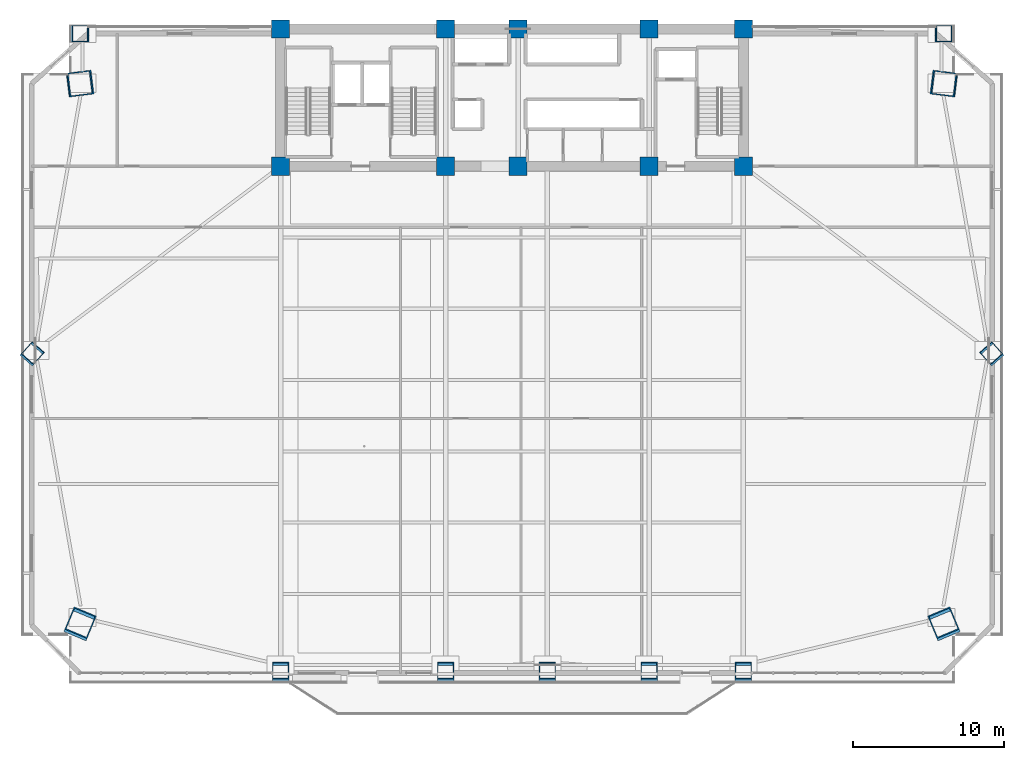
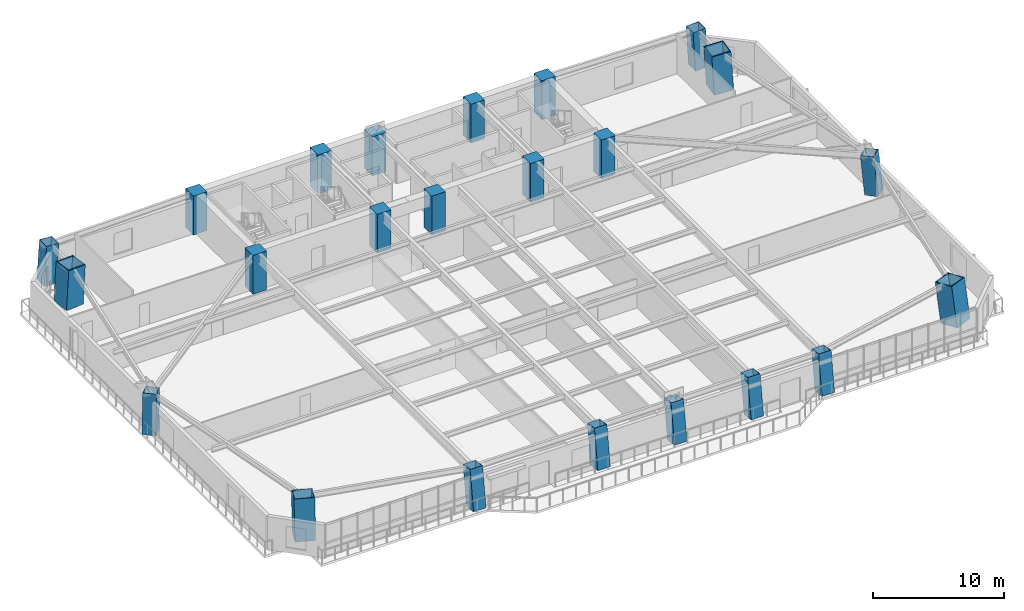
# One storey, part 1 of 17: 23 columns.
"""IFC4 building model written with IfcOpenShell, lengths in metres."""

from ifc_helpers import new_model, si_unit, direction, frame, origin, origin_2d, place, context, subcontext, project, spatial, rectangle, hollow_rectangle, extrude, source, transform, mapped, material, material_profile, profile_set, type_object, element, save


model = new_model("IFC4")

# Units and contexts
model_context = context("Model", 3, precision=1e-05, world=origin(), true_north=direction((0.0, 1.0)))
body_context = subcontext(model_context, "Body", "Model", "MODEL_VIEW")
ifc_project = project(units=[si_unit("LENGTHUNIT", "METRE"), si_unit("AREAUNIT", "SQUARE_METRE"), si_unit("VOLUMEUNIT", "CUBIC_METRE"), si_unit("PLANEANGLEUNIT", "RADIAN"), si_unit("MASSUNIT", "GRAM", prefix="KILO")], contexts=[model_context])

# Site, building, storey
site_placement = place(None, origin())
site = spatial("IfcSite", under=ifc_project, at=site_placement, CompositionType="ELEMENT")
building_placement = place(site_placement, origin())
building = spatial("IfcBuilding", under=site, at=building_placement, Name="Giltprow Tower", CompositionType="ELEMENT")
storey_placement = place(building_placement, frame((0.0, 0.0, 44.89990234375)))
storey = spatial("IfcBuildingStorey", under=building, at=storey_placement, Name="L11", CompositionType="ELEMENT", Elevation=44.89990234375)

# Columns
ifc_material_1 = material(Name="Concrete C60", Category="concrete")
ifc_material_profile_1 = material_profile(ifc_material_1, rectangle(XDim=1.199951171875, YDim=1.199951171875, at=origin_2d()), Name="RC 1200x1200")
ifc_profile_set_1 = profile_set([ifc_material_profile_1], Name="Concrete C60")
column_type_1 = type_object("IfcColumnType", Name="PIL-RC-1200-C60", PredefinedType="PILASTER", material=ifc_profile_set_1)
shared_shape_1 = source(origin(), body_context, "Body", "SweptSolid", [
    extrude(rectangle(XDim=1.199951171875, YDim=1.199951171875, at=origin_2d()), origin(), (0.0, 0.0, 1.0), 3.6201171875),
])
for number, where, z_axis, x_axis, name in (
    (1, (19.85009765625, 37.449951171875, 0.0), (0.0, 0.0, 1.0), (1.0, 0.0, 0.0), "L11 Core Boundary Pilaster 1-1"),
    (2, (19.85009765625, 46.550048828125, 0.0), (0.0, 0.0, 1.0), (1.0, 0.0, 0.0), "L11 Core Boundary Pilaster 1-2"),
    (3, (30.800048828125, 37.449951171875, 0.0), (0.0, 0.0, 1.0), (1.0, 0.0, 0.0), "L11 Core Boundary Pilaster 2-1"),
    (4, (30.800048828125, 46.550048828125, 0.0), (0.0, 0.0, 1.0), (1.0, 0.0, 0.0), "L11 Core Boundary Pilaster 2-2"),
    (5, (35.60009765625, 37.449951171875, 0.0), (0.0, 0.0, 1.0), (1.0, 0.0, 0.0), "L11 Core Boundary Pilaster 3-1"),
    (6, (35.60009765625, 46.550048828125, 0.0), (0.0, 0.0, 1.0), (1.0, 0.0, 0.0), "L11 Core Boundary Pilaster 3-2"),
    (7, (44.300048828125, 37.449951171875, 0.0), (0.0, 0.0, 1.0), (1.0, 0.0, 0.0), "L11 Core Boundary Pilaster 4-1"),
    (8, (44.300048828125, 46.550048828125, 0.0), (0.0, 0.0, 1.0), (1.0, 0.0, 0.0), "L11 Core Boundary Pilaster 4-2"),
    (9, (50.550048828125, 37.449951171875, 0.0), (0.0, 0.0, 1.0), (1.0, 0.0, 0.0), "L11 Core Boundary Pilaster 5-1"),
    (10, (50.550048828125, 46.550048828125, 0.0), (0.0, 0.0, 1.0), (1.0, 0.0, 0.0), "L11 Core Boundary Pilaster 5-2"),
):
    element("IfcColumn", number, at=place(storey_placement, frame(where, z_axis=z_axis, x_axis=x_axis)), inside=storey, type_object=column_type_1, Name=name, PredefinedType="PILASTER", context=body_context, shape_type="MappedRepresentation", body=[
        mapped(shared_shape_1, transform((0.0, 0.0, 0.0), x_axis=(1.0, 0.0, 0.0), y_axis=(0.0, 1.0, 0.0), z_axis=(0.0, 0.0, 1.0), scale=1.0)),
    ])
ifc_material_2 = material(Name="Structural steel Q420GJC", Category="steel")
ifc_material_profile_2 = material_profile(ifc_material_2, hollow_rectangle(XDim=1.60009765625, YDim=1.60009765625, WallThickness=0.074951171875, at=origin_2d()), Name="BOX 1600x1600x75")
ifc_profile_set_2 = profile_set([ifc_material_profile_2], Name="Structural steel Q420GJC")
column_type_2 = type_object("IfcColumnType", Name="COL-BOX-1600x1600x75", PredefinedType="COLUMN", material=ifc_profile_set_2)
shared_shape_2 = source(origin(), body_context, "Body", "SweptSolid", [
    extrude(hollow_rectangle(XDim=1.60009765625, YDim=1.60009765625, WallThickness=0.074951171875, at=origin_2d()), origin(), (0.0, 0.0, 1.0), 3.66064453125),
])
for number, where, z_axis, x_axis, name in (
    (11, (6.509033203125, 7.0009765625, 0.0), (0.057090392782, 0.136856876155, 0.988944327301), (-0.922917163749, 0.384998582929, 0.0), "L11 Mega-Column MC_SW"),
    (12, (63.89111328125, 7.0009765625, 0.0), (-0.057156869408, 0.136856354756, 0.98894055961), (-0.922757300744, -0.385381582231, 0.0), "L11 Mega-Column MC_SE"),
):
    element("IfcColumn", number, at=place(storey_placement, frame(where, z_axis=z_axis, x_axis=x_axis)), inside=storey, type_object=column_type_2, Name=name, PredefinedType="COLUMN", context=body_context, shape_type="MappedRepresentation", body=[
        mapped(shared_shape_2, transform((0.0, 0.0, 0.0), x_axis=(1.0, 0.0, 0.0), y_axis=(0.0, 1.0, 0.0), z_axis=(0.0, 0.0, 1.0), scale=1.0)),
    ])
shared_shape_3 = source(origin(), body_context, "Body", "SweptSolid", [
    extrude(hollow_rectangle(XDim=1.60009765625, YDim=1.60009765625, WallThickness=0.074951171875, at=origin_2d()), origin(), (0.0, 0.0, 1.0), 3.626220703125),
])
for number, where, z_axis, x_axis, name in (
    (13, (6.509033203125, 42.926025390625, 0.0), (0.057631200614, 0.007136573908, 0.998312433073), (-0.122893119903, 0.992419911671, 0.0), "L11 Mega-Column MC_NW"),
    (14, (63.89111328125, 42.926025390625, 0.0), (-0.057698302779, 0.007136546201, 0.998308557293), (-0.122751882683, -0.992437391122, 0.0), "L11 Mega-Column MC_NE"),
):
    element("IfcColumn", number, at=place(storey_placement, frame(where, z_axis=z_axis, x_axis=x_axis)), inside=storey, type_object=column_type_2, Name=name, PredefinedType="COLUMN", context=body_context, shape_type="MappedRepresentation", body=[
        mapped(shared_shape_3, transform((0.0, 0.0, 0.0), x_axis=(1.0, 0.0, 0.0), y_axis=(0.0, 1.0, 0.0), z_axis=(0.0, 0.0, 1.0), scale=1.0)),
    ])
ifc_material_profile_3 = material_profile(ifc_material_2, hollow_rectangle(XDim=1.10009765625, YDim=1.10009765625, WallThickness=0.050048828125, at=origin_2d()), Name="BOX 1100x1100x50")
ifc_profile_set_3 = profile_set([ifc_material_profile_3], Name="Structural steel Q420GJC")
column_type_3 = type_object("IfcColumnType", Name="COL-BOX-1100x1100x50", PredefinedType="COLUMN", material=ifc_profile_set_3)
shared_shape_4 = source(origin(), body_context, "Body", "SweptSolid", [
    extrude(hollow_rectangle(XDim=1.10009765625, YDim=1.10009765625, WallThickness=0.050048828125, at=origin_2d()), origin(), (0.0, 0.0, 1.0), 3.658203125),
])
for number, where, z_axis, x_axis, name in (
    (15, (19.85009765625, 3.826904296875, 0.0), (0.0, 0.144083622092, 0.989565515691), (-1.0, 0.0, 0.0), "L11 Perimeter Column S1"),
    (16, (30.800048828125, 3.826904296875, 0.0), (0.0, 0.144083622092, 0.989565515691), (-1.0, 0.0, 0.0), "L11 Perimeter Column S2"),
    (17, (37.550048828125, 3.826904296875, 0.0), (0.0, 0.144083622092, 0.989565515691), (-1.0, 0.0, 0.0), "L11 Perimeter Column S_MID"),
    (18, (44.300048828125, 3.826904296875, 0.0), (0.0, 0.144083622092, 0.989565515691), (-1.0, 0.0, 0.0), "L11 Perimeter Column S3"),
    (19, (50.550048828125, 3.826904296875, 0.0), (0.0, 0.144083622092, 0.989565515691), (-1.0, 0.0, 0.0), "L11 Perimeter Column S4"),
):
    element("IfcColumn", number, at=place(storey_placement, frame(where, z_axis=z_axis, x_axis=x_axis)), inside=storey, type_object=column_type_3, Name=name, PredefinedType="COLUMN", context=body_context, shape_type="MappedRepresentation", body=[
        mapped(shared_shape_4, transform((0.0, 0.0, 0.0), x_axis=(1.0, 0.0, 0.0), y_axis=(0.0, 1.0, 0.0), z_axis=(0.0, 0.0, 1.0), scale=1.0)),
    ])
shared_shape_5 = source(origin(), body_context, "Body", "SweptSolid", [
    extrude(hollow_rectangle(XDim=1.10009765625, YDim=1.10009765625, WallThickness=0.050048828125, at=origin_2d()), origin(), (0.0, 0.0, 1.0), 3.637451171875),
])
for number, where, z_axis, x_axis, name in (
    (20, (3.3349609375, 24.962890625, 0.0), (0.064637033835, 0.072624372388, 0.995262655982), (-0.746990181356, 0.664835068989, 0.0), "L11 Perimeter Column W_MID"),
    (21, (67.06494140625, 24.962890625, 0.0), (-0.064570193334, 0.072624687305, 0.995266971685), (-0.747333099032, -0.664449576034, 0.0), "L11 Perimeter Column E_MID"),
):
    element("IfcColumn", number, at=place(storey_placement, frame(where, z_axis=z_axis, x_axis=x_axis)), inside=storey, type_object=column_type_3, Name=name, PredefinedType="COLUMN", context=body_context, shape_type="MappedRepresentation", body=[
        mapped(shared_shape_5, transform((0.0, 0.0, 0.0), x_axis=(1.0, 0.0, 0.0), y_axis=(0.0, 1.0, 0.0), z_axis=(0.0, 0.0, 1.0), scale=1.0)),
    ])
shared_shape_6 = source(origin(), body_context, "Body", "SweptSolid", [
    extrude(hollow_rectangle(XDim=1.10009765625, YDim=1.10009765625, WallThickness=0.050048828125, at=origin_2d()), origin(), (0.0, 0.0, 1.0), 3.626220703125),
])
for number, where, z_axis, x_axis, name in (
    (22, (6.509033203125, 46.25, 0.0), (0.057632668269, 0.0, 0.998337856413), (0.0, 1.0, 0.0), "L11 Perimeter Column N_W"),
    (23, (63.89111328125, 46.25, 0.0), (-0.05769977213, 0.0, 0.998333980337), (0.0, -1.0, 0.0), "L11 Perimeter Column N_E"),
):
    element("IfcColumn", number, at=place(storey_placement, frame(where, z_axis=z_axis, x_axis=x_axis)), inside=storey, type_object=column_type_3, Name=name, PredefinedType="COLUMN", context=body_context, shape_type="MappedRepresentation", body=[
        mapped(shared_shape_6, transform((0.0, 0.0, 0.0), x_axis=(1.0, 0.0, 0.0), y_axis=(0.0, 1.0, 0.0), z_axis=(0.0, 0.0, 1.0), scale=1.0)),
    ])

save(model, "model.ifc")
